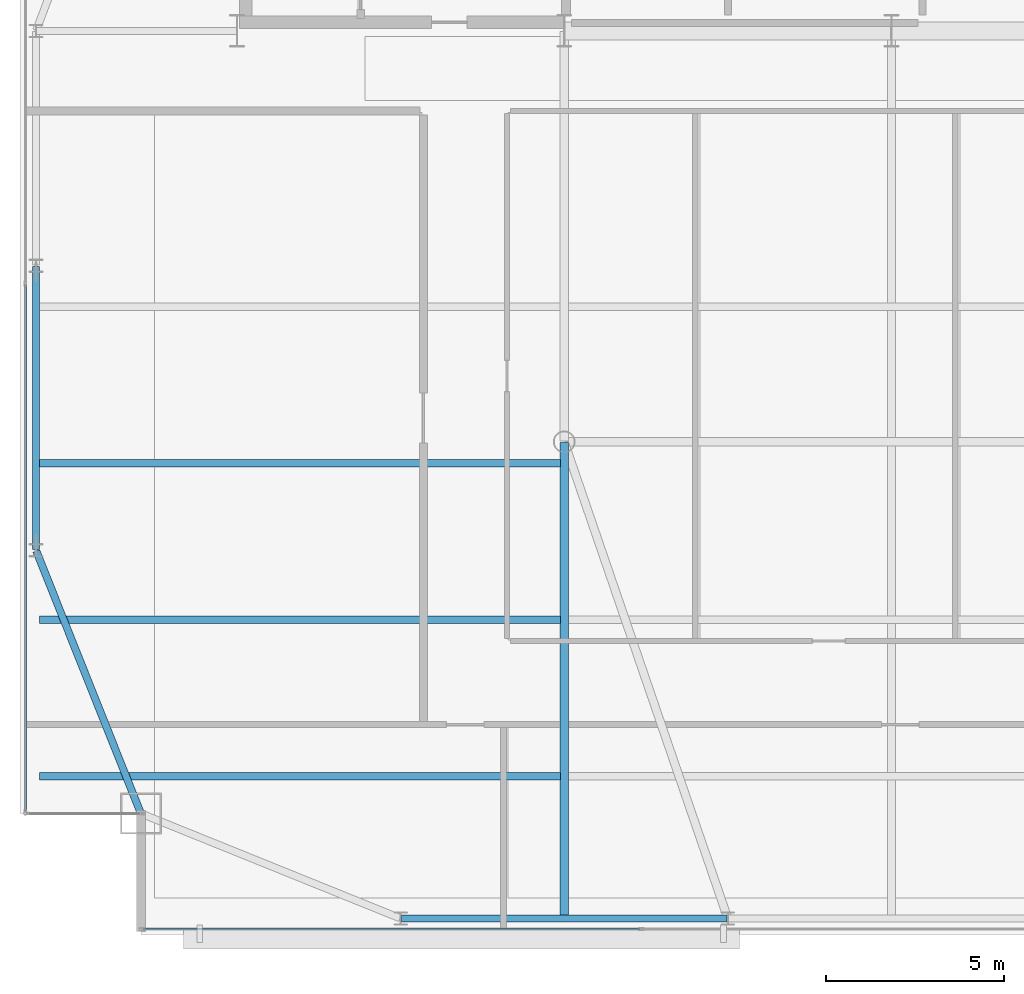
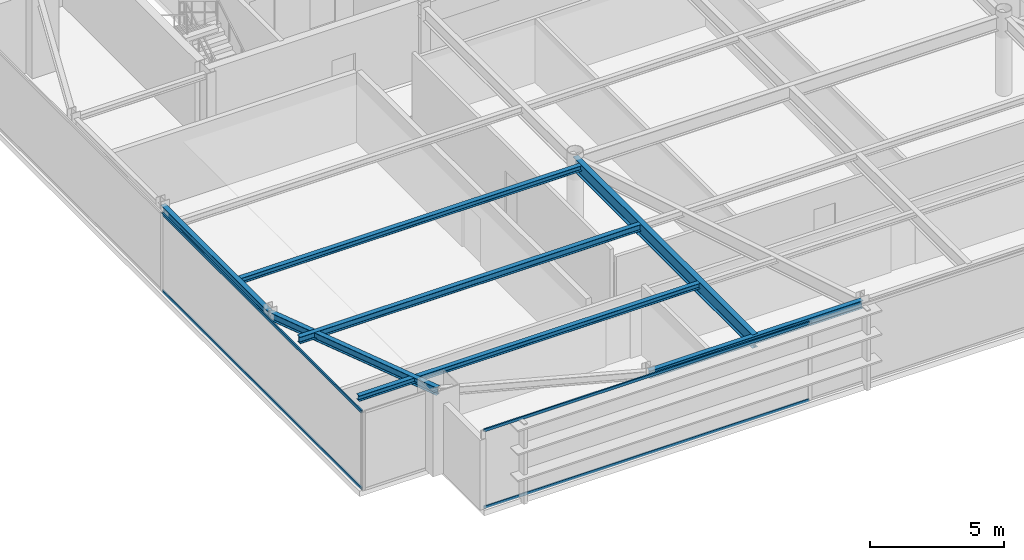
# One storey, part 5 of 25: 7 beams, 4 members, 2 elements without a shape of their own.
"""IFC4 building model written with IfcOpenShell, lengths in metres."""

from ifc_helpers import new_model, si_unit, direction, frame, origin, origin_2d, place, context, subcontext, project, spatial, hollow_rectangle, i_section, extrude, source, transform, mapped, material, layer, layer_set, material_profile, profile_set, type_object, type_shapes, element, aggregate, save


model = new_model("IFC4")

# Units and contexts
model_context = context("Model", 3, precision=1e-05, world=origin(), true_north=direction((0.0, 1.0)))
body_context = subcontext(model_context, "Body", "Model", "MODEL_VIEW")
ifc_project = project(units=[si_unit("LENGTHUNIT", "METRE"), si_unit("AREAUNIT", "SQUARE_METRE"), si_unit("VOLUMEUNIT", "CUBIC_METRE"), si_unit("PLANEANGLEUNIT", "RADIAN"), si_unit("MASSUNIT", "GRAM", prefix="KILO")], contexts=[model_context])

# Site, building, storey
site_placement = place(None, origin())
site = spatial("IfcSite", under=ifc_project, at=site_placement, CompositionType="ELEMENT")
building_placement = place(site_placement, origin())
building = spatial("IfcBuilding", under=site, at=building_placement, Name="Varnel Quay Broadcast Tower", CompositionType="ELEMENT")
storey_placement = place(building_placement, frame((0.0, 0.0, 226.39990234375)))
storey = spatial("IfcBuildingStorey", under=building, at=storey_placement, Name="L56", CompositionType="ELEMENT", Elevation=226.39990234375)

# Beams
ifc_material_1 = material(Name="Structural Steel CSA G40.21 350W", Category="steel")
ifc_material_profile_1 = material_profile(ifc_material_1, i_section(OverallWidth=0.205078125, OverallDepth=0.35400390625, WebThickness=0.009521484375, FlangeThickness=0.016845703125, FilletRadius=0.012939453125, at=origin_2d()), Name="W360X79")
ifc_profile_set_1 = profile_set([ifc_material_profile_1], Name="Structural Steel CSA G40.21 350W")
beam_type_1 = type_object("IfcBeamType", Name="Beam_W360X79", PredefinedType="SPANDREL", material=ifc_profile_set_1)
shared_shape_1 = source(origin(), body_context, "Body", "SweptSolid", [
    extrude(i_section(OverallWidth=0.205078125, OverallDepth=0.35400390625, WebThickness=0.009521484375, FlangeThickness=0.016845703125, FilletRadius=0.012939453125, at=origin_2d()), origin(), (0.0, 0.0, 1.0), 9.159912109375),
])
beam_1_placement = place(storey_placement, frame((20.219970703125, 10.64990234375, 3.373046875), z_axis=(1.0, 0.0, 0.0), x_axis=(0.0, 1.0, 0.0)))
element("IfcBeam", 1, at=beam_1_placement, inside=storey, type_object=beam_type_1, Name="L56 South Spandrel TC-S1-TC-S2", PredefinedType="SPANDREL", context=body_context, shape_type="MappedRepresentation", body=[
    mapped(shared_shape_1, transform((0.0, 0.0, 0.0), x_axis=(1.0, 0.0, 0.0), y_axis=(0.0, 1.0, 0.0), z_axis=(0.0, 0.0, 1.0), scale=1.0)),
])
shared_shape_2 = source(origin(), body_context, "Body", "SweptSolid", [
    extrude(i_section(OverallWidth=0.205078125, OverallDepth=0.35400390625, WebThickness=0.009521484375, FlangeThickness=0.016845703125, FilletRadius=0.012939453125, at=origin_2d()), origin(), (0.0, 0.0, 1.0), 7.92626953125),
])
beam_2_placement = place(storey_placement, frame((12.892578125, 13.61865234375, 3.373046875), z_axis=(-0.370296431883, 0.928913641053, 0.0), x_axis=(-0.928913641053, -0.370296431883, 0.0)))
element("IfcBeam", 2, at=beam_2_placement, inside=storey, type_object=beam_type_1, Name="L56 West Spandrel MC-SW-TC-W1", PredefinedType="SPANDREL", context=body_context, shape_type="MappedRepresentation", body=[
    mapped(shared_shape_2, transform((0.0, 0.0, 0.0), x_axis=(1.0, 0.0, 0.0), y_axis=(0.0, 1.0, 0.0), z_axis=(0.0, 0.0, 1.0), scale=1.0)),
])
shared_shape_3 = source(origin(), body_context, "Body", "SweptSolid", [
    extrude(i_section(OverallWidth=0.205078125, OverallDepth=0.35400390625, WebThickness=0.009521484375, FlangeThickness=0.016845703125, FilletRadius=0.012939453125, at=origin_2d()), origin(), (0.0, 0.0, 1.0), 7.9599609375),
])
type_shapes(beam_type_1, [shared_shape_1, shared_shape_2, shared_shape_3])
beam_3_placement = place(storey_placement, frame((9.949951171875, 21.02001953125, 3.373046875), z_axis=(0.0, 1.0, 0.0), x_axis=(-1.0, 0.0, 0.0)))
element("IfcBeam", 3, at=beam_3_placement, inside=storey, type_object=beam_type_1, Name="L56 West Spandrel TC-W1-TC-W2", PredefinedType="SPANDREL", context=body_context, shape_type="MappedRepresentation", body=[
    mapped(shared_shape_3, transform((0.0, 0.0, 0.0), x_axis=(1.0, 0.0, 0.0), y_axis=(0.0, 1.0, 0.0), z_axis=(0.0, 0.0, 1.0), scale=1.0)),
])
ifc_material_profile_2 = material_profile(ifc_material_1, i_section(OverallWidth=0.22998046875, OverallDepth=0.616943359375, WebThickness=0.01318359375, FlangeThickness=0.022216796875, FilletRadius=0.01611328125, at=origin_2d()), Name="W610X140")
ifc_profile_set_2 = profile_set([ifc_material_profile_2], Name="Structural Steel CSA G40.21 350W")
beam_type_2 = type_object("IfcBeamType", Name="Girder_W610X140", PredefinedType="BEAM", material=ifc_profile_set_2)
shared_shape_4 = source(origin(), body_context, "Body", "SweptSolid", [
    extrude(i_section(OverallWidth=0.22998046875, OverallDepth=0.616943359375, WebThickness=0.01318359375, FlangeThickness=0.022216796875, FilletRadius=0.01611328125, at=origin_2d()), origin(), (0.0, 0.0, 1.0), 13.360107421875),
])
type_shapes(beam_type_2, [shared_shape_4])
beam_4_placement = place(storey_placement, frame((24.800048828125, 10.669921875, 3.24169921875), z_axis=(0.0, 1.0, 0.0), x_axis=(-1.0, 0.0, 0.0)))
element("IfcBeam", 4, at=beam_4_placement, inside=storey, type_object=beam_type_2, Name="L56 N-S Joist Header IC-01S", PredefinedType="BEAM", context=body_context, shape_type="MappedRepresentation", body=[
    mapped(shared_shape_4, transform((0.0, 0.0, 0.0), x_axis=(1.0, 0.0, 0.0), y_axis=(0.0, 1.0, 0.0), z_axis=(0.0, 0.0, 1.0), scale=1.0)),
])
ifc_material_profile_3 = material_profile(ifc_material_1, i_section(OverallWidth=0.201904296875, OverallDepth=0.2470703125, WebThickness=0.00732421875, FlangeThickness=0.010986328125, FilletRadius=0.010986328125, at=origin_2d()), Name="W250X49")
ifc_profile_set_3 = profile_set([ifc_material_profile_3], Name="Structural Steel CSA G40.21 350W")
beam_type_3 = type_object("IfcBeamType", Name="Beam_W250X49", PredefinedType="JOIST", material=ifc_profile_set_3)
shared_shape_5 = source(origin(), body_context, "Body", "SweptSolid", [
    extrude(i_section(OverallWidth=0.201904296875, OverallDepth=0.2470703125, WebThickness=0.00732421875, FlangeThickness=0.010986328125, FilletRadius=0.010986328125, at=origin_2d()), origin(), (0.0, 0.0, 1.0), 14.642333984375),
])
type_shapes(beam_type_3, [shared_shape_5])
for number, where, z_axis, x_axis, name in (
    (5, (10.047607421875, 14.64990234375, 3.426513671875), (1.0, 0.0, 0.0), (0.0, 1.0, 0.0), "L56 West Floor Joist 1"),
    (6, (10.047607421875, 23.449951171875, 3.426513671875), (1.0, 0.0, 0.0), (0.0, 1.0, 0.0), "L56 West Floor Joist 3"),
):
    element("IfcBeam", number, at=place(storey_placement, frame(where, z_axis=z_axis, x_axis=x_axis)), inside=storey, type_object=beam_type_3, Name=name, PredefinedType="JOIST", context=body_context, shape_type="MappedRepresentation", body=[
        mapped(shared_shape_5, transform((0.0, 0.0, 0.0), x_axis=(1.0, 0.0, 0.0), y_axis=(0.0, 1.0, 0.0), z_axis=(0.0, 0.0, 1.0), scale=1.0)),
    ])
ifc_material_profile_4 = material_profile(ifc_material_1, i_section(OverallWidth=0.202880859375, OverallDepth=0.302978515625, WebThickness=0.007568359375, FlangeThickness=0.01318359375, FilletRadius=0.011962890625, at=origin_2d()), Name="W310X60")
ifc_profile_set_4 = profile_set([ifc_material_profile_4], Name="Structural Steel CSA G40.21 350W")
beam_type_4 = type_object("IfcBeamType", Name="Beam_W310X60", PredefinedType="JOIST", material=ifc_profile_set_4)
shared_shape_6 = source(origin(), body_context, "Body", "SweptSolid", [
    extrude(i_section(OverallWidth=0.202880859375, OverallDepth=0.302978515625, WebThickness=0.007568359375, FlangeThickness=0.01318359375, FilletRadius=0.011962890625, at=origin_2d()), origin(), (0.0, 0.0, 1.0), 14.642333984375),
])
type_shapes(beam_type_4, [shared_shape_6])
beam_5_placement = place(storey_placement, frame((10.047607421875, 19.050048828125, 3.398681640625), z_axis=(1.0, 0.0, 0.0), x_axis=(0.0, 1.0, 0.0)))
element("IfcBeam", 7, at=beam_5_placement, inside=storey, type_object=beam_type_4, Name="L56 West Floor Joist 2", PredefinedType="JOIST", context=body_context, shape_type="MappedRepresentation", body=[
    mapped(shared_shape_6, transform((0.0, 0.0, 0.0), x_axis=(1.0, 0.0, 0.0), y_axis=(0.0, 1.0, 0.0), z_axis=(0.0, 0.0, 1.0), scale=1.0)),
])

# Curtain wall, members
ifc_material_2 = material(Name="Anodised Bronze Aluminium 6063-T6", Category="aluminium")
ifc_layer = layer(ifc_material_2, 0.18994140625, Name="Anodised Bronze Aluminium 6063-T6")
ifc_layer_set = layer_set([ifc_layer], Name="Anodised Bronze Aluminium 6063-T6")
curtain_wall_type = type_object("IfcCurtainWallType", Name="CW_UpperTower", PredefinedType="NOTDEFINED", material=ifc_layer_set)
curtain_wall_1_placement = place(storey_placement, origin())
curtain_wall_1 = element("IfcCurtainWall", 8, at=curtain_wall_1_placement, inside=storey, type_object=curtain_wall_type, Name="L56 West Unitised Curtain Wall", PredefinedType="NOTDEFINED")
ifc_material_profile_5 = material_profile(ifc_material_2, hollow_rectangle(XDim=0.06005859375, YDim=0.125, WallThickness=0.0029296875, at=origin_2d()), Name="ALU60X125X3")
ifc_profile_set_5 = profile_set([ifc_material_profile_5], Name="Anodised Bronze Aluminium 6063-T6")
member_type = type_object("IfcMemberType", Name="Tran_CWS-03", PredefinedType="USERDEFINED", material=ifc_profile_set_5)
shared_shape_7 = source(origin(), body_context, "Body", "SweptSolid", [
    extrude(hollow_rectangle(XDim=0.06005859375, YDim=0.125, WallThickness=0.0029296875, at=origin_2d()), origin(), (0.0, 0.0, 1.0), 14.802490234375),
])
member_1_placement = place(storey_placement, frame((9.64990234375, 13.6650390625, 0.030029296875), z_axis=(0.0, 1.0, 0.0), x_axis=(-1.0, 0.0, 0.0)))
member_1 = element("IfcMember", 9, at=member_1_placement, type_object=member_type, Name="CWS-03 transom 1.1", ObjectType="TRANSOM", PredefinedType="USERDEFINED", context=body_context, shape_type="MappedRepresentation", body=[
    mapped(shared_shape_7, transform((0.0, 0.0, 0.0), x_axis=(1.0, 0.0, 0.0), y_axis=(0.0, 1.0, 0.0), z_axis=(0.0, 0.0, 1.0), scale=1.0)),
])
member_2_placement = place(storey_placement, frame((9.64990234375, 13.6650390625, 3.52001953125), z_axis=(0.0, 1.0, 0.0), x_axis=(-1.0, 0.0, 0.0)))
member_2 = element("IfcMember", 10, at=member_2_placement, type_object=member_type, Name="CWS-03 transom 1.2", ObjectType="TRANSOM", PredefinedType="USERDEFINED", context=body_context, shape_type="MappedRepresentation", body=[
    mapped(shared_shape_7, transform((0.0, 0.0, 0.0), x_axis=(1.0, 0.0, 0.0), y_axis=(0.0, 1.0, 0.0), z_axis=(0.0, 0.0, 1.0), scale=1.0)),
])
aggregate(curtain_wall_1, [member_1, member_2])

curtain_wall_2_placement = place(storey_placement, origin())
curtain_wall_2 = element("IfcCurtainWall", 11, at=curtain_wall_2_placement, inside=storey, type_object=curtain_wall_type, Name="L56 South Unitised Curtain Wall 1", PredefinedType="NOTDEFINED")
shared_shape_8 = source(origin(), body_context, "Body", "SweptSolid", [
    extrude(hollow_rectangle(XDim=0.06005859375, YDim=0.125, WallThickness=0.0029296875, at=origin_2d()), origin(), (0.0, 0.0, 1.0), 13.968994140625),
])
type_shapes(member_type, [shared_shape_7, shared_shape_8])
member_3_placement = place(storey_placement, frame((12.965087890625, 10.35009765625, 0.030029296875), z_axis=(1.0, 0.0, 0.0), x_axis=(0.0, 1.0, 0.0)))
member_3 = element("IfcMember", 12, at=member_3_placement, type_object=member_type, Name="CWS-03 transom 1.1", ObjectType="TRANSOM", PredefinedType="USERDEFINED", context=body_context, shape_type="MappedRepresentation", body=[
    mapped(shared_shape_8, transform((0.0, 0.0, 0.0), x_axis=(1.0, 0.0, 0.0), y_axis=(0.0, 1.0, 0.0), z_axis=(0.0, 0.0, 1.0), scale=1.0)),
])
member_4_placement = place(storey_placement, frame((12.965087890625, 10.35009765625, 3.52001953125), z_axis=(1.0, 0.0, 0.0), x_axis=(0.0, 1.0, 0.0)))
member_4 = element("IfcMember", 13, at=member_4_placement, type_object=member_type, Name="CWS-03 transom 1.2", ObjectType="TRANSOM", PredefinedType="USERDEFINED", context=body_context, shape_type="MappedRepresentation", body=[
    mapped(shared_shape_8, transform((0.0, 0.0, 0.0), x_axis=(1.0, 0.0, 0.0), y_axis=(0.0, 1.0, 0.0), z_axis=(0.0, 0.0, 1.0), scale=1.0)),
])
aggregate(curtain_wall_2, [member_3, member_4])

save(model, "model.ifc")
